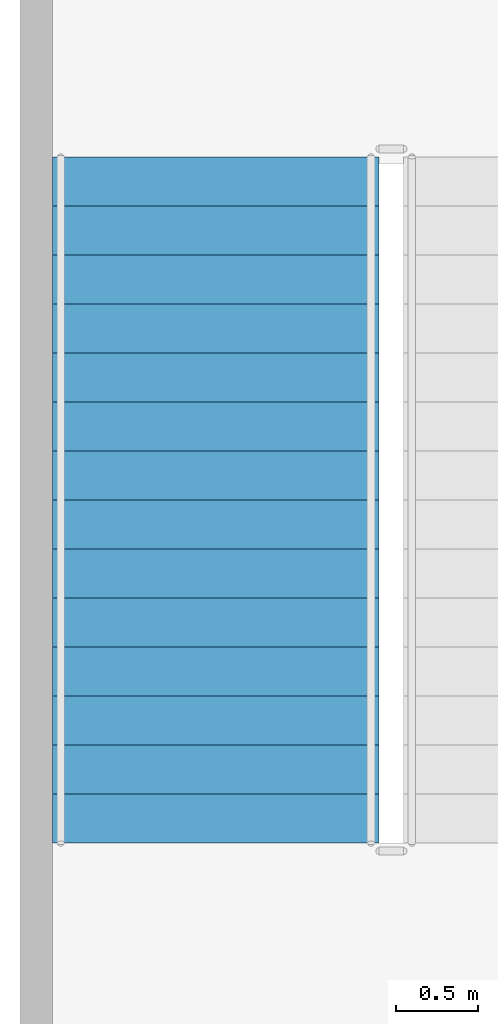
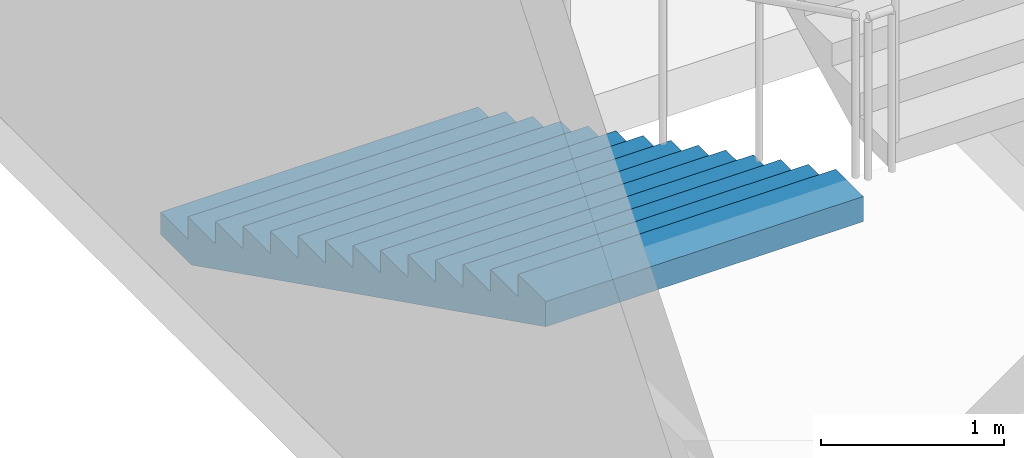
# One storey, part 86 of 95: 1 stair flight, 1 element without a shape of its own.
"""IFC4 building model written with IfcOpenShell, lengths in metres."""

from ifc_helpers import new_model, si_unit, direction, frame, origin, place, context, subcontext, project, spatial, faceted_brep, material, type_object, element, aggregate, save


model = new_model("IFC4")

# Units and contexts
model_context = context("Model", 3, precision=1e-05, world=origin(), true_north=direction((0.0, 1.0)))
body_context = subcontext(model_context, "Body", "Model", "MODEL_VIEW")
ifc_project = project(units=[si_unit("LENGTHUNIT", "METRE"), si_unit("AREAUNIT", "SQUARE_METRE"), si_unit("VOLUMEUNIT", "CUBIC_METRE"), si_unit("PLANEANGLEUNIT", "RADIAN"), si_unit("MASSUNIT", "GRAM", prefix="KILO")], contexts=[model_context])

# Site, building, storey
site_placement = place(None, origin())
site = spatial("IfcSite", under=ifc_project, at=site_placement, CompositionType="ELEMENT")
building_placement = place(site_placement, origin())
building = spatial("IfcBuilding", under=site, at=building_placement, Name="Kiln Court Media Centre", CompositionType="ELEMENT")
storey_placement = place(building_placement, frame((0.0, 0.0, 24.60009765625)))
storey = spatial("IfcBuildingStorey", under=building, at=storey_placement, Name="L05", CompositionType="ELEMENT", Elevation=24.60009765625)

# Stair, stair flight
ifc_material_1 = material(Name="Concrete C40/50", Category="concrete")
stair_type = type_object("IfcStairType", Name="Concrete C40/50 dog-leg stair 2000 wide, 150 riser", PredefinedType="HALF_TURN_STAIR", material=ifc_material_1)
stair_placement = place(storey_placement, origin())
stair = element("IfcStair", 1, at=stair_placement, inside=storey, type_object=stair_type, Name="ST-07 L05", PredefinedType="HALF_TURN_STAIR")
ifc_material_2 = material(Name="Concrete C40/50", Category="concrete")
stair_flight_type = type_object("IfcStairFlightType", Name="Concrete C40/50 stair flight 2000 wide, 150 riser, 300 going", PredefinedType="STRAIGHT", material=ifc_material_2)
stair_flight_placement = place(storey_placement, frame((1.199951171875, 64.39990234375, 0.0), z_axis=(0.0, 0.0, 1.0), x_axis=(0.0, -1.0, 0.0)))
stair_flight = element("IfcStairFlight", 2, at=stair_flight_placement, type_object=stair_flight_type, Name="L05-ST-5003 flight 5006", NumberOfRisers=15, NumberOfTreads=14, PredefinedType="STRAIGHT", RiserHeight=0.15, TreadLength=0.3, context=body_context, shape_type="Brep", body=[
    faceted_brep([(0.335205078125, -1.0, 0.0), (4.199951171875, -1.0, 1.932373046875), (4.199951171875, -1.0, 2.10009765625), (3.89990234375, -1.0, 2.10009765625), (3.89990234375, -1.0, 1.949951171875), (3.60009765625, -1.0, 1.949951171875), (3.60009765625, -1.0, 1.800048828125), (3.300048828125, -1.0, 1.800048828125), (3.300048828125, -1.0, 1.64990234375), (3.0, -1.0, 1.64990234375), (3.0, -1.0, 1.5), (2.699951171875, -1.0, 1.5), (2.699951171875, -1.0, 1.35009765625), (2.39990234375, -1.0, 1.35009765625), (2.39990234375, -1.0, 1.199951171875), (2.10009765625, -1.0, 1.199951171875), (2.10009765625, -1.0, 1.050048828125), (1.800048828125, -1.0, 1.050048828125), (1.800048828125, -1.0, 0.89990234375), (1.5, -1.0, 0.89990234375), (1.5, -1.0, 0.75), (1.199951171875, -1.0, 0.75), (1.199951171875, -1.0, 0.60009765625), (0.89990234375, -1.0, 0.60009765625), (0.89990234375, -1.0, 0.449951171875), (0.60009765625, -1.0, 0.449951171875), (0.60009765625, -1.0, 0.300048828125), (0.300048828125, -1.0, 0.300048828125), (0.300048828125, -1.0, 0.14990234375), (0.0, -1.0, 0.14990234375), (0.0, -1.0, 0.0), (0.0, 1.0, 0.0), (0.0, 1.0, 0.14990234375), (0.300048828125, 1.0, 0.14990234375), (0.300048828125, 1.0, 0.300048828125), (0.60009765625, 1.0, 0.300048828125), (0.60009765625, 1.0, 0.449951171875), (0.89990234375, 1.0, 0.449951171875), (0.89990234375, 1.0, 0.60009765625), (1.199951171875, 1.0, 0.60009765625), (1.199951171875, 1.0, 0.75), (1.5, 1.0, 0.75), (1.5, 1.0, 0.89990234375), (1.800048828125, 1.0, 0.89990234375), (1.800048828125, 1.0, 1.050048828125), (2.10009765625, 1.0, 1.050048828125), (2.10009765625, 1.0, 1.199951171875), (2.39990234375, 1.0, 1.199951171875), (2.39990234375, 1.0, 1.35009765625), (2.699951171875, 1.0, 1.35009765625), (2.699951171875, 1.0, 1.5), (3.0, 1.0, 1.5), (3.0, 1.0, 1.64990234375), (3.300048828125, 1.0, 1.64990234375), (3.300048828125, 1.0, 1.800048828125), (3.60009765625, 1.0, 1.800048828125), (3.60009765625, 1.0, 1.949951171875), (3.89990234375, 1.0, 1.949951171875), (3.89990234375, 1.0, 2.10009765625), (4.199951171875, 1.0, 2.10009765625), (4.199951171875, 1.0, 1.932373046875), (0.335205078125, 1.0, 0.0), (4.199951171875, 0.10009765625, 1.932373046875), (0.335205078125, 0.10009765625, 0.0), (4.199951171875, 0.080078125, 1.932373046875), (0.335205078125, 0.080078125, 0.0), (4.199951171875, 0.06005859375, 1.932373046875), (0.335205078125, 0.06005859375, 0.0), (4.199951171875, 0.0400390625, 1.932373046875), (0.335205078125, 0.0400390625, 0.0), (4.199951171875, 0.02001953125, 1.932373046875), (0.335205078125, 0.02001953125, 0.0), (4.199951171875, 0.0, 1.932373046875), (0.335205078125, 0.0, 0.0), (4.199951171875, -0.02001953125, 1.932373046875), (0.335205078125, -0.02001953125, 0.0), (4.199951171875, -0.0400390625, 1.932373046875), (0.335205078125, -0.0400390625, 0.0), (4.199951171875, -0.06005859375, 1.932373046875), (0.335205078125, -0.06005859375, 0.0), (4.199951171875, -0.080078125, 1.932373046875), (0.335205078125, -0.080078125, 0.0), (4.199951171875, -0.10009765625, 1.932373046875), (0.335205078125, -0.10009765625, 0.0), (4.199951171875, 0.10009765625, 2.10009765625), (4.199951171875, 0.080078125, 2.10009765625), (4.199951171875, 0.06005859375, 2.10009765625), (4.199951171875, 0.0400390625, 2.10009765625), (4.199951171875, 0.02001953125, 2.10009765625), (4.199951171875, 0.0, 2.10009765625), (4.199951171875, -0.02001953125, 2.10009765625), (4.199951171875, -0.0400390625, 2.10009765625), (4.199951171875, -0.06005859375, 2.10009765625), (4.199951171875, -0.080078125, 2.10009765625), (4.199951171875, -0.10009765625, 2.10009765625), (3.89990234375, 0.10009765625, 2.10009765625), (3.89990234375, 0.080078125, 2.10009765625), (3.89990234375, 0.06005859375, 2.10009765625), (3.89990234375, 0.0400390625, 2.10009765625), (3.89990234375, 0.02001953125, 2.10009765625), (3.89990234375, 0.0, 2.10009765625), (3.89990234375, -0.02001953125, 2.10009765625), (3.89990234375, -0.0400390625, 2.10009765625), (3.89990234375, -0.06005859375, 2.10009765625), (3.89990234375, -0.080078125, 2.10009765625), (3.89990234375, -0.10009765625, 2.10009765625), (3.89990234375, 0.10009765625, 1.949951171875), (3.89990234375, 0.080078125, 1.949951171875), (3.89990234375, 0.06005859375, 1.949951171875), (3.89990234375, 0.0400390625, 1.949951171875), (3.89990234375, 0.02001953125, 1.949951171875), (3.89990234375, 0.0, 1.949951171875), (3.89990234375, -0.02001953125, 1.949951171875), (3.89990234375, -0.0400390625, 1.949951171875), (3.89990234375, -0.06005859375, 1.949951171875), (3.89990234375, -0.080078125, 1.949951171875), (3.89990234375, -0.10009765625, 1.949951171875), (3.60009765625, 0.10009765625, 1.949951171875), (3.60009765625, 0.080078125, 1.949951171875), (3.60009765625, 0.06005859375, 1.949951171875), (3.60009765625, 0.0400390625, 1.949951171875), (3.60009765625, 0.02001953125, 1.949951171875), (3.60009765625, 0.0, 1.949951171875), (3.60009765625, -0.02001953125, 1.949951171875), (3.60009765625, -0.0400390625, 1.949951171875), (3.60009765625, -0.06005859375, 1.949951171875), (3.60009765625, -0.080078125, 1.949951171875), (3.60009765625, -0.10009765625, 1.949951171875), (3.60009765625, 0.10009765625, 1.800048828125), (3.60009765625, 0.080078125, 1.800048828125), (3.60009765625, 0.06005859375, 1.800048828125), (3.60009765625, 0.0400390625, 1.800048828125), (3.60009765625, 0.02001953125, 1.800048828125), (3.60009765625, 0.0, 1.800048828125), (3.60009765625, -0.02001953125, 1.800048828125), (3.60009765625, -0.0400390625, 1.800048828125), (3.60009765625, -0.06005859375, 1.800048828125), (3.60009765625, -0.080078125, 1.800048828125), (3.60009765625, -0.10009765625, 1.800048828125), (3.300048828125, 0.10009765625, 1.800048828125), (3.300048828125, 0.080078125, 1.800048828125), (3.300048828125, 0.06005859375, 1.800048828125), (3.300048828125, 0.0400390625, 1.800048828125), (3.300048828125, 0.02001953125, 1.800048828125), (3.300048828125, 0.0, 1.800048828125), (3.300048828125, -0.02001953125, 1.800048828125), (3.300048828125, -0.0400390625, 1.800048828125), (3.300048828125, -0.06005859375, 1.800048828125), (3.300048828125, -0.080078125, 1.800048828125), (3.300048828125, -0.10009765625, 1.800048828125), (3.300048828125, 0.10009765625, 1.64990234375), (3.300048828125, 0.080078125, 1.64990234375), (3.300048828125, 0.06005859375, 1.64990234375), (3.300048828125, 0.0400390625, 1.64990234375), (3.300048828125, 0.02001953125, 1.64990234375), (3.300048828125, 0.0, 1.64990234375), (3.300048828125, -0.02001953125, 1.64990234375), (3.300048828125, -0.0400390625, 1.64990234375), (3.300048828125, -0.06005859375, 1.64990234375), (3.300048828125, -0.080078125, 1.64990234375), (3.300048828125, -0.10009765625, 1.64990234375), (3.0, 0.10009765625, 1.64990234375), (3.0, 0.080078125, 1.64990234375), (3.0, 0.06005859375, 1.64990234375), (3.0, 0.0400390625, 1.64990234375), (3.0, 0.02001953125, 1.64990234375), (3.0, 0.0, 1.64990234375), (3.0, -0.02001953125, 1.64990234375), (3.0, -0.0400390625, 1.64990234375), (3.0, -0.06005859375, 1.64990234375), (3.0, -0.080078125, 1.64990234375), (3.0, -0.10009765625, 1.64990234375), (3.0, 0.10009765625, 1.5), (3.0, 0.080078125, 1.5), (3.0, 0.06005859375, 1.5), (3.0, 0.0400390625, 1.5), (3.0, 0.02001953125, 1.5), (3.0, 0.0, 1.5), (3.0, -0.02001953125, 1.5), (3.0, -0.0400390625, 1.5), (3.0, -0.06005859375, 1.5), (3.0, -0.080078125, 1.5), (3.0, -0.10009765625, 1.5), (2.699951171875, 0.10009765625, 1.5), (2.699951171875, 0.080078125, 1.5), (2.699951171875, 0.06005859375, 1.5), (2.699951171875, 0.0400390625, 1.5), (2.699951171875, 0.02001953125, 1.5), (2.699951171875, 0.0, 1.5), (2.699951171875, -0.02001953125, 1.5), (2.699951171875, -0.0400390625, 1.5), (2.699951171875, -0.06005859375, 1.5), (2.699951171875, -0.080078125, 1.5), (2.699951171875, -0.10009765625, 1.5), (2.699951171875, 0.10009765625, 1.35009765625), (2.699951171875, 0.080078125, 1.35009765625), (2.699951171875, 0.06005859375, 1.35009765625), (2.699951171875, 0.0400390625, 1.35009765625), (2.699951171875, 0.02001953125, 1.35009765625), (2.699951171875, 0.0, 1.35009765625), (2.699951171875, -0.02001953125, 1.35009765625), (2.699951171875, -0.0400390625, 1.35009765625), (2.699951171875, -0.06005859375, 1.35009765625), (2.699951171875, -0.080078125, 1.35009765625), (2.699951171875, -0.10009765625, 1.35009765625), (2.39990234375, 0.10009765625, 1.35009765625), (2.39990234375, 0.080078125, 1.35009765625), (2.39990234375, 0.06005859375, 1.35009765625), (2.39990234375, 0.0400390625, 1.35009765625), (2.39990234375, 0.02001953125, 1.35009765625), (2.39990234375, 0.0, 1.35009765625), (2.39990234375, -0.02001953125, 1.35009765625), (2.39990234375, -0.0400390625, 1.35009765625), (2.39990234375, -0.06005859375, 1.35009765625), (2.39990234375, -0.080078125, 1.35009765625), (2.39990234375, -0.10009765625, 1.35009765625), (2.39990234375, 0.10009765625, 1.199951171875), (2.39990234375, 0.080078125, 1.199951171875), (2.39990234375, 0.06005859375, 1.199951171875), (2.39990234375, 0.0400390625, 1.199951171875), (2.39990234375, 0.02001953125, 1.199951171875), (2.39990234375, 0.0, 1.199951171875), (2.39990234375, -0.02001953125, 1.199951171875), (2.39990234375, -0.0400390625, 1.199951171875), (2.39990234375, -0.06005859375, 1.199951171875), (2.39990234375, -0.080078125, 1.199951171875), (2.39990234375, -0.10009765625, 1.199951171875), (2.10009765625, 0.10009765625, 1.199951171875), (2.10009765625, 0.080078125, 1.199951171875), (2.10009765625, 0.06005859375, 1.199951171875), (2.10009765625, 0.0400390625, 1.199951171875), (2.10009765625, 0.02001953125, 1.199951171875), (2.10009765625, 0.0, 1.199951171875), (2.10009765625, -0.02001953125, 1.199951171875), (2.10009765625, -0.0400390625, 1.199951171875), (2.10009765625, -0.06005859375, 1.199951171875), (2.10009765625, -0.080078125, 1.199951171875), (2.10009765625, -0.10009765625, 1.199951171875), (2.10009765625, 0.10009765625, 1.050048828125), (2.10009765625, 0.080078125, 1.050048828125), (2.10009765625, 0.06005859375, 1.050048828125), (2.10009765625, 0.0400390625, 1.050048828125), (2.10009765625, 0.02001953125, 1.050048828125), (2.10009765625, 0.0, 1.050048828125), (2.10009765625, -0.02001953125, 1.050048828125), (2.10009765625, -0.0400390625, 1.050048828125), (2.10009765625, -0.06005859375, 1.050048828125), (2.10009765625, -0.080078125, 1.050048828125), (2.10009765625, -0.10009765625, 1.050048828125), (1.800048828125, 0.10009765625, 1.050048828125), (1.800048828125, 0.080078125, 1.050048828125), (1.800048828125, 0.06005859375, 1.050048828125), (1.800048828125, 0.0400390625, 1.050048828125), (1.800048828125, 0.02001953125, 1.050048828125), (1.800048828125, 0.0, 1.050048828125), (1.800048828125, -0.02001953125, 1.050048828125), (1.800048828125, -0.0400390625, 1.050048828125), (1.800048828125, -0.06005859375, 1.050048828125), (1.800048828125, -0.080078125, 1.050048828125), (1.800048828125, -0.10009765625, 1.050048828125), (1.800048828125, 0.10009765625, 0.89990234375), (1.800048828125, 0.080078125, 0.89990234375), (1.800048828125, 0.06005859375, 0.89990234375), (1.800048828125, 0.0400390625, 0.89990234375), (1.800048828125, 0.02001953125, 0.89990234375), (1.800048828125, 0.0, 0.89990234375), (1.800048828125, -0.02001953125, 0.89990234375), (1.800048828125, -0.0400390625, 0.89990234375), (1.800048828125, -0.06005859375, 0.89990234375), (1.800048828125, -0.080078125, 0.89990234375), (1.800048828125, -0.10009765625, 0.89990234375), (1.5, 0.10009765625, 0.89990234375), (1.5, 0.080078125, 0.89990234375), (1.5, 0.06005859375, 0.89990234375), (1.5, 0.0400390625, 0.89990234375), (1.5, 0.02001953125, 0.89990234375), (1.5, 0.0, 0.89990234375), (1.5, -0.02001953125, 0.89990234375), (1.5, -0.0400390625, 0.89990234375), (1.5, -0.06005859375, 0.89990234375), (1.5, -0.080078125, 0.89990234375), (1.5, -0.10009765625, 0.89990234375), (1.5, 0.10009765625, 0.75), (1.5, 0.080078125, 0.75), (1.5, 0.06005859375, 0.75), (1.5, 0.0400390625, 0.75), (1.5, 0.02001953125, 0.75), (1.5, 0.0, 0.75), (1.5, -0.02001953125, 0.75), (1.5, -0.0400390625, 0.75), (1.5, -0.06005859375, 0.75), (1.5, -0.080078125, 0.75), (1.5, -0.10009765625, 0.75), (1.199951171875, 0.10009765625, 0.75), (1.199951171875, 0.080078125, 0.75), (1.199951171875, 0.06005859375, 0.75), (1.199951171875, 0.0400390625, 0.75), (1.199951171875, 0.02001953125, 0.75), (1.199951171875, 0.0, 0.75), (1.199951171875, -0.02001953125, 0.75), (1.199951171875, -0.0400390625, 0.75), (1.199951171875, -0.06005859375, 0.75), (1.199951171875, -0.080078125, 0.75), (1.199951171875, -0.10009765625, 0.75), (1.199951171875, 0.10009765625, 0.60009765625), (1.199951171875, 0.080078125, 0.60009765625), (1.199951171875, 0.06005859375, 0.60009765625), (1.199951171875, 0.0400390625, 0.60009765625), (1.199951171875, 0.02001953125, 0.60009765625), (1.199951171875, 0.0, 0.60009765625), (1.199951171875, -0.02001953125, 0.60009765625), (1.199951171875, -0.0400390625, 0.60009765625), (1.199951171875, -0.06005859375, 0.60009765625), (1.199951171875, -0.080078125, 0.60009765625), (1.199951171875, -0.10009765625, 0.60009765625), (0.89990234375, 0.10009765625, 0.60009765625), (0.89990234375, 0.080078125, 0.60009765625), (0.89990234375, 0.06005859375, 0.60009765625), (0.89990234375, 0.0400390625, 0.60009765625), (0.89990234375, 0.02001953125, 0.60009765625), (0.89990234375, 0.0, 0.60009765625), (0.89990234375, -0.02001953125, 0.60009765625), (0.89990234375, -0.0400390625, 0.60009765625), (0.89990234375, -0.06005859375, 0.60009765625), (0.89990234375, -0.080078125, 0.60009765625), (0.89990234375, -0.10009765625, 0.60009765625), (0.89990234375, 0.10009765625, 0.449951171875), (0.89990234375, 0.080078125, 0.449951171875), (0.89990234375, 0.06005859375, 0.449951171875), (0.89990234375, 0.0400390625, 0.449951171875), (0.89990234375, 0.02001953125, 0.449951171875), (0.89990234375, 0.0, 0.449951171875), (0.89990234375, -0.02001953125, 0.449951171875), (0.89990234375, -0.0400390625, 0.449951171875), (0.89990234375, -0.06005859375, 0.449951171875), (0.89990234375, -0.080078125, 0.449951171875), (0.89990234375, -0.10009765625, 0.449951171875), (0.60009765625, 0.10009765625, 0.449951171875), (0.60009765625, 0.080078125, 0.449951171875), (0.60009765625, 0.06005859375, 0.449951171875), (0.60009765625, 0.0400390625, 0.449951171875), (0.60009765625, 0.02001953125, 0.449951171875), (0.60009765625, 0.0, 0.449951171875), (0.60009765625, -0.02001953125, 0.449951171875), (0.60009765625, -0.0400390625, 0.449951171875), (0.60009765625, -0.06005859375, 0.449951171875), (0.60009765625, -0.080078125, 0.449951171875), (0.60009765625, -0.10009765625, 0.449951171875), (0.60009765625, 0.10009765625, 0.300048828125), (0.60009765625, 0.080078125, 0.300048828125), (0.60009765625, 0.06005859375, 0.300048828125), (0.60009765625, 0.0400390625, 0.300048828125), (0.60009765625, 0.02001953125, 0.300048828125), (0.60009765625, 0.0, 0.300048828125), (0.60009765625, -0.02001953125, 0.300048828125), (0.60009765625, -0.0400390625, 0.300048828125), (0.60009765625, -0.06005859375, 0.300048828125), (0.60009765625, -0.080078125, 0.300048828125), (0.60009765625, -0.10009765625, 0.300048828125), (0.300048828125, 0.10009765625, 0.300048828125), (0.300048828125, 0.080078125, 0.300048828125), (0.300048828125, 0.06005859375, 0.300048828125), (0.300048828125, 0.0400390625, 0.300048828125), (0.300048828125, 0.02001953125, 0.300048828125), (0.300048828125, 0.0, 0.300048828125), (0.300048828125, -0.02001953125, 0.300048828125), (0.300048828125, -0.0400390625, 0.300048828125), (0.300048828125, -0.06005859375, 0.300048828125), (0.300048828125, -0.080078125, 0.300048828125), (0.300048828125, -0.10009765625, 0.300048828125), (0.300048828125, 0.10009765625, 0.14990234375), (0.300048828125, 0.080078125, 0.14990234375), (0.300048828125, 0.06005859375, 0.14990234375), (0.300048828125, 0.0400390625, 0.14990234375), (0.300048828125, 0.02001953125, 0.14990234375), (0.300048828125, 0.0, 0.14990234375), (0.300048828125, -0.02001953125, 0.14990234375), (0.300048828125, -0.0400390625, 0.14990234375), (0.300048828125, -0.06005859375, 0.14990234375), (0.300048828125, -0.080078125, 0.14990234375), (0.300048828125, -0.10009765625, 0.14990234375), (0.0, 0.10009765625, 0.14990234375), (0.0, 0.080078125, 0.14990234375), (0.0, 0.06005859375, 0.14990234375), (0.0, 0.0400390625, 0.14990234375), (0.0, 0.02001953125, 0.14990234375), (0.0, 0.0, 0.14990234375), (0.0, -0.02001953125, 0.14990234375), (0.0, -0.0400390625, 0.14990234375), (0.0, -0.06005859375, 0.14990234375), (0.0, -0.080078125, 0.14990234375), (0.0, -0.10009765625, 0.14990234375), (0.0, 0.10009765625, 0.0), (0.0, 0.080078125, 0.0), (0.0, 0.06005859375, 0.0), (0.0, 0.0400390625, 0.0), (0.0, 0.02001953125, 0.0), (0.0, 0.0, 0.0), (0.0, -0.02001953125, 0.0), (0.0, -0.0400390625, 0.0), (0.0, -0.06005859375, 0.0), (0.0, -0.080078125, 0.0), (0.0, -0.10009765625, 0.0)], [[[0, 1, 2, 3, 4, 5, 6, 7, 8, 9, 10, 11, 12, 13, 14, 15, 16, 17, 18, 19, 20, 21, 22, 23, 24, 25, 26, 27, 28, 29, 30]], [[31, 32, 33, 34, 35, 36, 37, 38, 39, 40, 41, 42, 43, 44, 45, 46, 47, 48, 49, 50, 51, 52, 53, 54, 55, 56, 57, 58, 59, 60, 61]], [[61, 60, 62, 63]], [[63, 62, 64, 65]], [[65, 64, 66, 67]], [[67, 66, 68, 69]], [[69, 68, 70, 71]], [[71, 70, 72, 73]], [[73, 72, 74, 75]], [[75, 74, 76, 77]], [[77, 76, 78, 79]], [[79, 78, 80, 81]], [[81, 80, 82, 83]], [[83, 82, 1, 0]], [[60, 59, 84, 62]], [[62, 84, 85, 64]], [[64, 85, 86, 66]], [[66, 86, 87, 68]], [[68, 87, 88, 70]], [[70, 88, 89, 72]], [[72, 89, 90, 74]], [[74, 90, 91, 76]], [[76, 91, 92, 78]], [[78, 92, 93, 80]], [[80, 93, 94, 82]], [[82, 94, 2, 1]], [[59, 58, 95, 84]], [[84, 95, 96, 85]], [[85, 96, 97, 86]], [[86, 97, 98, 87]], [[87, 98, 99, 88]], [[88, 99, 100, 89]], [[89, 100, 101, 90]], [[90, 101, 102, 91]], [[91, 102, 103, 92]], [[92, 103, 104, 93]], [[93, 104, 105, 94]], [[94, 105, 3, 2]], [[58, 57, 106, 95]], [[95, 106, 107, 96]], [[96, 107, 108, 97]], [[97, 108, 109, 98]], [[98, 109, 110, 99]], [[99, 110, 111, 100]], [[100, 111, 112, 101]], [[101, 112, 113, 102]], [[102, 113, 114, 103]], [[103, 114, 115, 104]], [[104, 115, 116, 105]], [[105, 116, 4, 3]], [[57, 56, 117, 106]], [[106, 117, 118, 107]], [[107, 118, 119, 108]], [[108, 119, 120, 109]], [[109, 120, 121, 110]], [[110, 121, 122, 111]], [[111, 122, 123, 112]], [[112, 123, 124, 113]], [[113, 124, 125, 114]], [[114, 125, 126, 115]], [[115, 126, 127, 116]], [[116, 127, 5, 4]], [[56, 55, 128, 117]], [[117, 128, 129, 118]], [[118, 129, 130, 119]], [[119, 130, 131, 120]], [[120, 131, 132, 121]], [[121, 132, 133, 122]], [[122, 133, 134, 123]], [[123, 134, 135, 124]], [[124, 135, 136, 125]], [[125, 136, 137, 126]], [[126, 137, 138, 127]], [[127, 138, 6, 5]], [[55, 54, 139, 128]], [[128, 139, 140, 129]], [[129, 140, 141, 130]], [[130, 141, 142, 131]], [[131, 142, 143, 132]], [[132, 143, 144, 133]], [[133, 144, 145, 134]], [[134, 145, 146, 135]], [[135, 146, 147, 136]], [[136, 147, 148, 137]], [[137, 148, 149, 138]], [[138, 149, 7, 6]], [[54, 53, 150, 139]], [[139, 150, 151, 140]], [[140, 151, 152, 141]], [[141, 152, 153, 142]], [[142, 153, 154, 143]], [[143, 154, 155, 144]], [[144, 155, 156, 145]], [[145, 156, 157, 146]], [[146, 157, 158, 147]], [[147, 158, 159, 148]], [[148, 159, 160, 149]], [[149, 160, 8, 7]], [[53, 52, 161, 150]], [[150, 161, 162, 151]], [[151, 162, 163, 152]], [[152, 163, 164, 153]], [[153, 164, 165, 154]], [[154, 165, 166, 155]], [[155, 166, 167, 156]], [[156, 167, 168, 157]], [[157, 168, 169, 158]], [[158, 169, 170, 159]], [[159, 170, 171, 160]], [[160, 171, 9, 8]], [[52, 51, 172, 161]], [[161, 172, 173, 162]], [[162, 173, 174, 163]], [[163, 174, 175, 164]], [[164, 175, 176, 165]], [[165, 176, 177, 166]], [[166, 177, 178, 167]], [[167, 178, 179, 168]], [[168, 179, 180, 169]], [[169, 180, 181, 170]], [[170, 181, 182, 171]], [[171, 182, 10, 9]], [[51, 50, 183, 172]], [[172, 183, 184, 173]], [[173, 184, 185, 174]], [[174, 185, 186, 175]], [[175, 186, 187, 176]], [[176, 187, 188, 177]], [[177, 188, 189, 178]], [[178, 189, 190, 179]], [[179, 190, 191, 180]], [[180, 191, 192, 181]], [[181, 192, 193, 182]], [[182, 193, 11, 10]], [[50, 49, 194, 183]], [[183, 194, 195, 184]], [[184, 195, 196, 185]], [[185, 196, 197, 186]], [[186, 197, 198, 187]], [[187, 198, 199, 188]], [[188, 199, 200, 189]], [[189, 200, 201, 190]], [[190, 201, 202, 191]], [[191, 202, 203, 192]], [[192, 203, 204, 193]], [[193, 204, 12, 11]], [[49, 48, 205, 194]], [[194, 205, 206, 195]], [[195, 206, 207, 196]], [[196, 207, 208, 197]], [[197, 208, 209, 198]], [[198, 209, 210, 199]], [[199, 210, 211, 200]], [[200, 211, 212, 201]], [[201, 212, 213, 202]], [[202, 213, 214, 203]], [[203, 214, 215, 204]], [[204, 215, 13, 12]], [[48, 47, 216, 205]], [[205, 216, 217, 206]], [[206, 217, 218, 207]], [[207, 218, 219, 208]], [[208, 219, 220, 209]], [[209, 220, 221, 210]], [[210, 221, 222, 211]], [[211, 222, 223, 212]], [[212, 223, 224, 213]], [[213, 224, 225, 214]], [[214, 225, 226, 215]], [[215, 226, 14, 13]], [[47, 46, 227, 216]], [[216, 227, 228, 217]], [[217, 228, 229, 218]], [[218, 229, 230, 219]], [[219, 230, 231, 220]], [[220, 231, 232, 221]], [[221, 232, 233, 222]], [[222, 233, 234, 223]], [[223, 234, 235, 224]], [[224, 235, 236, 225]], [[225, 236, 237, 226]], [[226, 237, 15, 14]], [[46, 45, 238, 227]], [[227, 238, 239, 228]], [[228, 239, 240, 229]], [[229, 240, 241, 230]], [[230, 241, 242, 231]], [[231, 242, 243, 232]], [[232, 243, 244, 233]], [[233, 244, 245, 234]], [[234, 245, 246, 235]], [[235, 246, 247, 236]], [[236, 247, 248, 237]], [[237, 248, 16, 15]], [[45, 44, 249, 238]], [[238, 249, 250, 239]], [[239, 250, 251, 240]], [[240, 251, 252, 241]], [[241, 252, 253, 242]], [[242, 253, 254, 243]], [[243, 254, 255, 244]], [[244, 255, 256, 245]], [[245, 256, 257, 246]], [[246, 257, 258, 247]], [[247, 258, 259, 248]], [[248, 259, 17, 16]], [[44, 43, 260, 249]], [[249, 260, 261, 250]], [[250, 261, 262, 251]], [[251, 262, 263, 252]], [[252, 263, 264, 253]], [[253, 264, 265, 254]], [[254, 265, 266, 255]], [[255, 266, 267, 256]], [[256, 267, 268, 257]], [[257, 268, 269, 258]], [[258, 269, 270, 259]], [[259, 270, 18, 17]], [[43, 42, 271, 260]], [[260, 271, 272, 261]], [[261, 272, 273, 262]], [[262, 273, 274, 263]], [[263, 274, 275, 264]], [[264, 275, 276, 265]], [[265, 276, 277, 266]], [[266, 277, 278, 267]], [[267, 278, 279, 268]], [[268, 279, 280, 269]], [[269, 280, 281, 270]], [[270, 281, 19, 18]], [[42, 41, 282, 271]], [[271, 282, 283, 272]], [[272, 283, 284, 273]], [[273, 284, 285, 274]], [[274, 285, 286, 275]], [[275, 286, 287, 276]], [[276, 287, 288, 277]], [[277, 288, 289, 278]], [[278, 289, 290, 279]], [[279, 290, 291, 280]], [[280, 291, 292, 281]], [[281, 292, 20, 19]], [[41, 40, 293, 282]], [[282, 293, 294, 283]], [[283, 294, 295, 284]], [[284, 295, 296, 285]], [[285, 296, 297, 286]], [[286, 297, 298, 287]], [[287, 298, 299, 288]], [[288, 299, 300, 289]], [[289, 300, 301, 290]], [[290, 301, 302, 291]], [[291, 302, 303, 292]], [[292, 303, 21, 20]], [[40, 39, 304, 293]], [[293, 304, 305, 294]], [[294, 305, 306, 295]], [[295, 306, 307, 296]], [[296, 307, 308, 297]], [[297, 308, 309, 298]], [[298, 309, 310, 299]], [[299, 310, 311, 300]], [[300, 311, 312, 301]], [[301, 312, 313, 302]], [[302, 313, 314, 303]], [[303, 314, 22, 21]], [[39, 38, 315, 304]], [[304, 315, 316, 305]], [[305, 316, 317, 306]], [[306, 317, 318, 307]], [[307, 318, 319, 308]], [[308, 319, 320, 309]], [[309, 320, 321, 310]], [[310, 321, 322, 311]], [[311, 322, 323, 312]], [[312, 323, 324, 313]], [[313, 324, 325, 314]], [[314, 325, 23, 22]], [[38, 37, 326, 315]], [[315, 326, 327, 316]], [[316, 327, 328, 317]], [[317, 328, 329, 318]], [[318, 329, 330, 319]], [[319, 330, 331, 320]], [[320, 331, 332, 321]], [[321, 332, 333, 322]], [[322, 333, 334, 323]], [[323, 334, 335, 324]], [[324, 335, 336, 325]], [[325, 336, 24, 23]], [[37, 36, 337, 326]], [[326, 337, 338, 327]], [[327, 338, 339, 328]], [[328, 339, 340, 329]], [[329, 340, 341, 330]], [[330, 341, 342, 331]], [[331, 342, 343, 332]], [[332, 343, 344, 333]], [[333, 344, 345, 334]], [[334, 345, 346, 335]], [[335, 346, 347, 336]], [[336, 347, 25, 24]], [[36, 35, 348, 337]], [[337, 348, 349, 338]], [[338, 349, 350, 339]], [[339, 350, 351, 340]], [[340, 351, 352, 341]], [[341, 352, 353, 342]], [[342, 353, 354, 343]], [[343, 354, 355, 344]], [[344, 355, 356, 345]], [[345, 356, 357, 346]], [[346, 357, 358, 347]], [[347, 358, 26, 25]], [[35, 34, 359, 348]], [[348, 359, 360, 349]], [[349, 360, 361, 350]], [[350, 361, 362, 351]], [[351, 362, 363, 352]], [[352, 363, 364, 353]], [[353, 364, 365, 354]], [[354, 365, 366, 355]], [[355, 366, 367, 356]], [[356, 367, 368, 357]], [[357, 368, 369, 358]], [[358, 369, 27, 26]], [[34, 33, 370, 359]], [[359, 370, 371, 360]], [[360, 371, 372, 361]], [[361, 372, 373, 362]], [[362, 373, 374, 363]], [[363, 374, 375, 364]], [[364, 375, 376, 365]], [[365, 376, 377, 366]], [[366, 377, 378, 367]], [[367, 378, 379, 368]], [[368, 379, 380, 369]], [[369, 380, 28, 27]], [[33, 32, 381, 370]], [[370, 381, 382, 371]], [[371, 382, 383, 372]], [[372, 383, 384, 373]], [[373, 384, 385, 374]], [[374, 385, 386, 375]], [[375, 386, 387, 376]], [[376, 387, 388, 377]], [[377, 388, 389, 378]], [[378, 389, 390, 379]], [[379, 390, 391, 380]], [[380, 391, 29, 28]], [[32, 31, 392, 381]], [[381, 392, 393, 382]], [[382, 393, 394, 383]], [[383, 394, 395, 384]], [[384, 395, 396, 385]], [[385, 396, 397, 386]], [[386, 397, 398, 387]], [[387, 398, 399, 388]], [[388, 399, 400, 389]], [[389, 400, 401, 390]], [[390, 401, 402, 391]], [[391, 402, 30, 29]], [[31, 61, 63, 392]], [[392, 63, 65, 393]], [[393, 65, 67, 394]], [[394, 67, 69, 395]], [[395, 69, 71, 396]], [[396, 71, 73, 397]], [[397, 73, 75, 398]], [[398, 75, 77, 399]], [[399, 77, 79, 400]], [[400, 79, 81, 401]], [[401, 81, 83, 402]], [[402, 83, 0, 30]]]),
])
aggregate(stair, [stair_flight])

save(model, "model.ifc")
